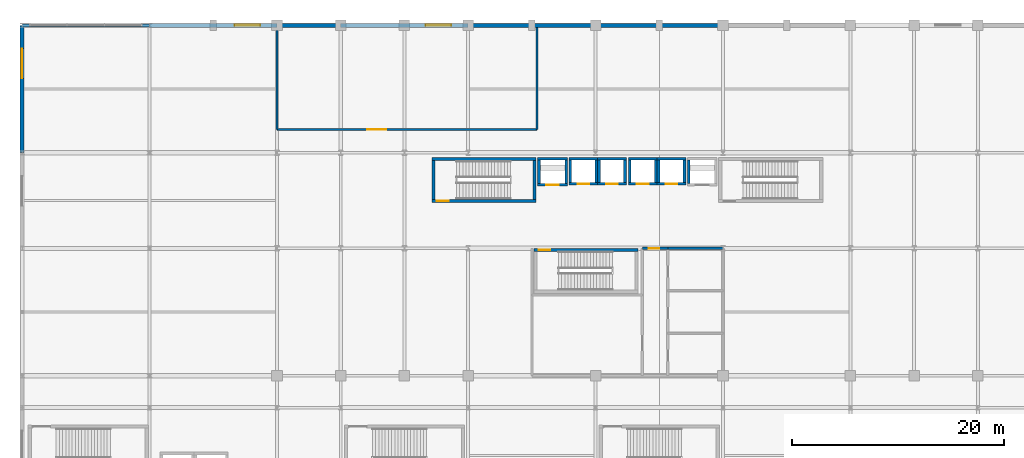
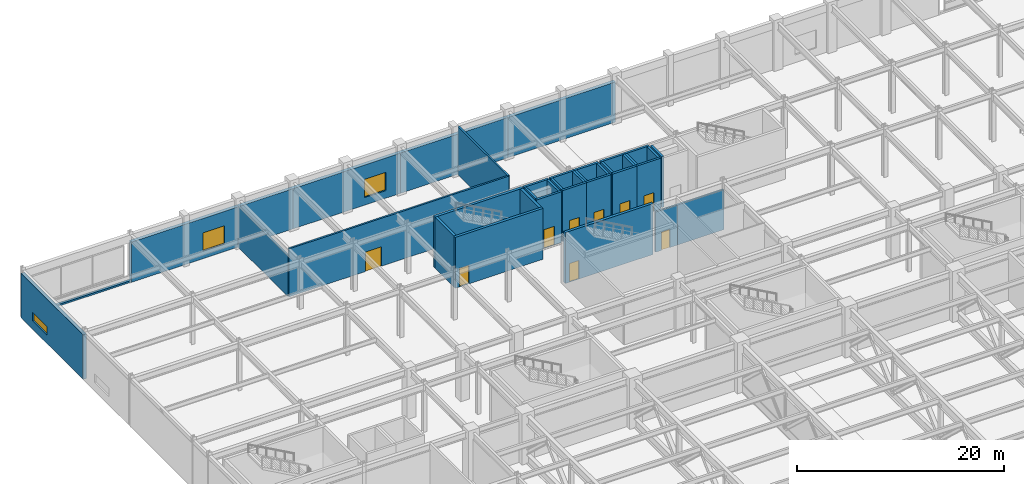
# One storey, part 93 of 108: 38 walls, 9 doors, 3 windows, 12 openings.
"""IFC4 building model written with IfcOpenShell, lengths in metres."""

import ifcopenshell
import ifcopenshell.guid

model = None  # the IFC model being written
_history = None  # IfcOwnerHistory: only IFC2X3 demands one
_inside = {}  # id of a spatial element -> (the spatial element, [elements in it])
_under = {}  # id of a project, library or spatial element -> (it, [spatial elements below it])
_declared = {}  # id of a project -> (the project, [libraries it declares])
_typed = {}  # id of a type object -> (the type object, [elements of that type])
_made_of = {}  # id of a material, layer set ... -> (it, [elements and type objects made of it])


def new_model(schema):
    """Start an empty IFC model of exactly this schema.

    Asked for "IFC4X3", IfcOpenShell would pick the latest addendum, in which some entities
    have other attributes; the version numbers below select the first issue.
    IFC2X3 requires an IfcOwnerHistory on every rooted entity: one is made here for all.
    """
    global model, _history
    if schema == "IFC4X3":
        model = ifcopenshell.file(schema_version=(4, 3, 0, 0))
    else:
        model = ifcopenshell.file(schema=schema)
    _inside.clear()
    _under.clear()
    _declared.clear()
    _typed.clear()
    _made_of.clear()
    _history = None
    if model.schema == "IFC2X3":
        org = make("IfcOrganization", Name="unknown")
        user = make(
            "IfcPersonAndOrganization",
            ThePerson=make("IfcPerson", FamilyName="unknown"),
            TheOrganization=org,
        )
        app = make(
            "IfcApplication",
            ApplicationDeveloper=org,
            Version="unknown",
            ApplicationFullName="unknown",
            ApplicationIdentifier="unknown",
        )
        _history = make(
            "IfcOwnerHistory",
            OwningUser=user,
            OwningApplication=app,
            ChangeAction="ADDED",
            CreationDate=0,
        )
    return model


def make(cls, **values):
    """One entity of the class cls with the attributes given. An attribute that is None is left unset."""
    return model.create_entity(
        cls, **{name: value for name, value in values.items() if value is not None}
    )


def rooted(cls, **values):
    """An entity with a GlobalId (a new one), such as an element, a storey or a relation."""
    return make(cls, GlobalId=ifcopenshell.guid.new(), OwnerHistory=_history, **values)


def si_unit(unit_type, name, prefix=None):
    """IfcSIUnit, for example si_unit("LENGTHUNIT", "METRE", prefix="MILLI")."""
    return make("IfcSIUnit", UnitType=unit_type, Prefix=prefix, Name=name)


def assignment(units):
    """IfcUnitAssignment: the units of a project."""
    return None if units is None else make("IfcUnitAssignment", Units=units)


def point(xyz):
    """IfcCartesianPoint."""
    return None if xyz is None else make("IfcCartesianPoint", Coordinates=xyz)


def direction(xyz):
    """IfcDirection."""
    return None if xyz is None else make("IfcDirection", DirectionRatios=xyz)


def frame(location, z_axis=None, x_axis=None):
    """IfcAxis2Placement3D, a coordinate frame: its origin and axes. An axis left out is left unset."""
    return make(
        "IfcAxis2Placement3D",
        Location=point(location),
        Axis=direction(z_axis),
        RefDirection=direction(x_axis),
    )


def frame_2d(location, x_axis=None):
    """IfcAxis2Placement2D, a coordinate frame in the plane: its origin and x axis."""
    return make(
        "IfcAxis2Placement2D", Location=point(location), RefDirection=direction(x_axis)
    )


def origin():
    """The frame at (0, 0, 0) with its axes left unset."""
    return frame((0.0, 0.0, 0.0))


def place(relative_to, where):
    """IfcLocalPlacement: puts the frame where relative to a parent placement (None: the world)."""
    return make(
        "IfcLocalPlacement", PlacementRelTo=relative_to, RelativePlacement=where
    )


def context(
    kind, dimensions, precision=None, world=None, true_north=None, identifier=None
):
    """IfcGeometricRepresentationContext, for example the 3D "Model" context."""
    return make(
        "IfcGeometricRepresentationContext",
        ContextIdentifier=identifier,
        ContextType=kind,
        CoordinateSpaceDimension=dimensions,
        Precision=precision,
        WorldCoordinateSystem=world,
        TrueNorth=true_north,
    )


def subcontext(parent, identifier, kind, view, scale=None):
    """IfcGeometricRepresentationSubContext, for example "Body" below "Model"."""
    return make(
        "IfcGeometricRepresentationSubContext",
        ContextIdentifier=identifier,
        ContextType=kind,
        ParentContext=parent,
        TargetScale=scale,
        TargetView=view,
    )


def project(units=None, contexts=None):
    """IfcProject with its units and contexts."""
    return rooted(
        "IfcProject",
        Name="project",
        RepresentationContexts=contexts,
        UnitsInContext=assignment(units),
    )


def spatial(cls, under=None, at=None, **own):
    """A site, building, storey or space (cls), placed at a placement, below another one or the project."""
    s = rooted(cls, ObjectPlacement=at, **own)
    if under is not None:
        _under.setdefault(under.id(), (under, []))[1].append(s)
    return s


def profile(cls, at=None, kind="AREA", **sizes):
    """A parametric profile (cls). Its sizes go by their IFC names, for example OverallWidth=200.0."""
    return make(cls, ProfileType=kind, Position=at, **sizes)


def rectangle(**sizes):
    """IfcRectangleProfileDef."""
    return profile("IfcRectangleProfileDef", **sizes)


def extrude(swept, where, along, depth):
    """IfcExtrudedAreaSolid: the profile swept, set in the frame where, extruded along a direction by depth."""
    return make(
        "IfcExtrudedAreaSolid",
        SweptArea=swept,
        Position=where,
        ExtrudedDirection=direction(along),
        Depth=depth,
    )


def shape(context_of_items, identifier, shape_type, items):
    """IfcShapeRepresentation: the items that make up one representation, for example the "Body"."""
    return make(
        "IfcShapeRepresentation",
        ContextOfItems=context_of_items,
        RepresentationIdentifier=identifier,
        RepresentationType=shape_type,
        Items=items,
    )


def material(Name=None, Category=None):
    """IfcMaterial."""
    return make("IfcMaterial", Name=Name, Category=Category)


def layer(
    of_material, thickness, ventilated=None, Name=None, Category=None, Priority=None
):
    """IfcMaterialLayer: one layer of a wall or slab, of a material (None: an air gap)."""
    return make(
        "IfcMaterialLayer",
        Material=of_material,
        LayerThickness=thickness,
        IsVentilated=ventilated,
        Name=Name,
        Category=Category,
        Priority=Priority,
    )


def layer_set(layers, Name=None):
    """IfcMaterialLayerSet."""
    return make("IfcMaterialLayerSet", MaterialLayers=layers, LayerSetName=Name)


def made_of(thing, what):
    """Note that an element or type object is made of a material, layer set ...; save() writes the relation."""
    if what is not None:
        _made_of.setdefault(what.id(), (what, []))[1].append(thing)
    return thing


def type_object(cls, material=None, **own):
    """A type object (cls), such as IfcWallType, which elements share."""
    return made_of(rooted(cls, **own), material)


def element(
    cls,
    number,
    at=None,
    inside=None,
    cuts=None,
    type_object=None,
    material=None,
    context=None,
    identifier="Body",
    shape_type=None,
    held_by="IfcProductDefinitionShape",
    body=None,
    shapes=None,
    **own,
):
    """One element of the class cls, such as IfcWall. Its Tag is "e" and its number.

    at: its placement. inside: the storey or other place that contains it. cuts: it is an
    opening in that element (IfcRelVoidsElement). A single representation is given by context,
    identifier, shape_type and body (its items); several are given by shapes. held_by: the class
    of the entity that holds the representations. save() writes the other relations.
    """
    e = rooted(cls, Tag="e%d" % number, ObjectPlacement=at, **own)
    if body is not None:
        shapes = [shape(context, identifier, shape_type, body)]
    if shapes is not None:
        e.Representation = make(held_by, Representations=shapes)
    if inside is not None:
        _inside.setdefault(inside.id(), (inside, []))[1].append(e)
    if cuts is not None:
        rooted(
            "IfcRelVoidsElement", RelatingBuildingElement=cuts, RelatedOpeningElement=e
        )
    if type_object is not None:
        _typed.setdefault(type_object.id(), (type_object, []))[1].append(e)
    return made_of(e, material)


def fill(opening, filler):
    """IfcRelFillsElement: the door or window that sits in an opening."""
    return rooted(
        "IfcRelFillsElement",
        RelatingOpeningElement=opening,
        RelatedBuildingElement=filler,
    )


def aggregate(whole, parts):
    """IfcRelAggregates: a whole, such as a stair, and the parts it consists of."""
    return rooted("IfcRelAggregates", RelatingObject=whole, RelatedObjects=parts)


def save(model, path):
    """Write the relations noted so far, then the file.

    IfcRelAggregates (storeys below a building ...), IfcRelContainedInSpatialStructure (elements
    in a storey), IfcRelDefinesByType, IfcRelAssociatesMaterial and IfcRelDeclares: one each for
    every whole, place, type object, material and project.
    """
    for whole, parts in _under.values():
        aggregate(whole, parts)
    for where, things in _inside.values():
        rooted(
            "IfcRelContainedInSpatialStructure",
            RelatedElements=things,
            RelatingStructure=where,
        )
    for kind, things in _typed.values():
        rooted("IfcRelDefinesByType", RelatedObjects=things, RelatingType=kind)
    for what, things in _made_of.values():
        rooted("IfcRelAssociatesMaterial", RelatedObjects=things, RelatingMaterial=what)
    for by, libraries in _declared.values():
        rooted("IfcRelDeclares", RelatingContext=by, RelatedDefinitions=libraries)
    model.write(path)


model = new_model("IFC4")

# Units and contexts
model_context = context("Model", 3, precision=1e-05, world=origin(), true_north=direction((0.0, 1.0)))
body_context = subcontext(model_context, "Body", "Model", "MODEL_VIEW")
ifc_project = project(units=[si_unit("LENGTHUNIT", "METRE"), si_unit("AREAUNIT", "SQUARE_METRE"), si_unit("VOLUMEUNIT", "CUBIC_METRE"), si_unit("PLANEANGLEUNIT", "RADIAN"), si_unit("MASSUNIT", "GRAM", prefix="KILO")], contexts=[model_context])

# Site, building, storey
site_placement = place(None, origin())
site = spatial("IfcSite", under=ifc_project, at=site_placement, CompositionType="ELEMENT")
building_placement = place(site_placement, origin())
building = spatial("IfcBuilding", under=site, at=building_placement, Name="Kaldorvane Square Convention Centre", CompositionType="ELEMENT")
storey_placement = place(building_placement, frame((0.0, 0.0, 12.0)))
storey = spatial("IfcBuildingStorey", under=building, at=storey_placement, Name="L02", CompositionType="ELEMENT", Elevation=12.0)

# Wall, opening, door
ifc_material_1 = material(Name="Fire-Rated Gypsum Board on Acoustic Steel Studs", Category="steel")
ifc_layer_1 = layer(ifc_material_1, 0.1999969482421875)
ifc_layer_set_1 = layer_set([ifc_layer_1], Name="Fire-Rated Gypsum Board on Acoustic Steel Studs")
wall_type_1 = type_object("IfcWallType", Name="WL-CORR-200", PredefinedType="PARTITIONING", material=ifc_layer_set_1)
wall_1_placement = place(storey_placement, frame((58.399993896484375, 96.0, 0.0), z_axis=(0.0, 0.0, 1.0), x_axis=(1.0, 0.0, 0.0)))
wall_1 = element("IfcWall", 1, at=wall_1_placement, inside=storey, type_object=wall_type_1, Name="Restroom Vestibule Entry Header (L02)", PredefinedType="PARTITIONING", context=body_context, shape_type="SweptSolid", body=[
    extrude(rectangle(XDim=2.4000091552734375, YDim=0.1999969482421875, at=frame_2d((1.20001220703125, 0.0))), origin(), (0.0, 0.0, 1.0), 4.718994140625),
])
opening_1_placement = place(wall_1_placement, frame((0.625, 0.0, 0.0)))
opening_1 = element("IfcOpeningElement", 2, at=opening_1_placement, cuts=wall_1, Name="Opening ID-13", PredefinedType="OPENING", context=body_context, shape_type="SweptSolid", body=[
    extrude(rectangle(XDim=0.9499969482421875, YDim=2.149993896484375, at=frame_2d((0.475006103515625, 1.0749969482421875))), frame((0.0, 0.114990234375, 0.0), z_axis=(0.0, -1.0, 0.0), x_axis=(1.0, 0.0, 0.0)), (0.0, 0.0, 1.0), 0.2299957275390625),
])
ifc_material_2 = material(Name="Architectural Solid-Core White Oak")
door_type_1 = type_object("IfcDoorType", Name="DR-WC-0950X2150", OperationType="SINGLE_SWING_LEFT", PredefinedType="DOOR", material=ifc_material_2)
door_1_placement = place(opening_1_placement, origin())
door_1 = element("IfcDoor", 3, at=door_1_placement, inside=storey, type_object=door_type_1, Name="Restroom Vestibule Door (L02)", OperationType="SINGLE_SWING_LEFT", OverallHeight=2.149993896484375, OverallWidth=0.9499969482421875, PredefinedType="DOOR", context=body_context, shape_type="SweptSolid", body=[
    extrude(rectangle(XDim=0.9499969482421875, YDim=2.149993896484375, at=frame_2d((0.475006103515625, 1.0749969482421875))), frame((0.0, 0.024993896484375, 0.0), z_axis=(0.0, -1.0, 0.0), x_axis=(1.0, 0.0, 0.0)), (0.0, 0.0, 1.0), 0.0500030517578125),
])
fill(opening_1, door_1)

# Wall
wall_2_placement = place(storey_placement, frame((60.80000305175781, 96.0, 0.0), z_axis=(0.0, 0.0, 1.0), x_axis=(1.0, 0.0, 0.0)))
element("IfcWall", 4, at=wall_2_placement, inside=storey, type_object=wall_type_1, Name="Restroom North Wall (L02)", PredefinedType="PARTITIONING", context=body_context, shape_type="SweptSolid", body=[
    extrude(rectangle(XDim=5.1999969482421875, YDim=0.1999969482421875, at=frame_2d((2.600006103515625, 0.0))), origin(), (0.0, 0.0, 1.0), 4.718994140625),
])

# Wall, opening, door
wall_3_placement = place(storey_placement, frame((24.0, 107.19999694824219, 0.0), z_axis=(0.0, 0.0, 1.0), x_axis=(1.0, 0.0, 0.0)))
wall_3 = element("IfcWall", 5, at=wall_3_placement, inside=storey, type_object=wall_type_1, Name="Hotel Fitness Studio and Spa S Wall", PredefinedType="PARTITIONING", context=body_context, shape_type="SweptSolid", body=[
    extrude(rectangle(XDim=24.5, YDim=0.1999969482421875, at=frame_2d((12.25, 0.0))), origin(), (0.0, 0.0, 1.0), 5.649993896484375),
])
opening_2_placement = place(wall_3_placement, frame((8.5, 0.0, 0.0)))
opening_2 = element("IfcOpeningElement", 6, at=opening_2_placement, cuts=wall_3, Name="Opening ID-15", PredefinedType="OPENING", context=body_context, shape_type="SweptSolid", body=[
    extrude(rectangle(XDim=1.8000030517578125, YDim=2.3000030517578125, at=frame_2d((0.899993896484375, 1.149993896484375))), frame((0.0, 0.114990234375, 0.0), z_axis=(0.0, -1.0, 0.0), x_axis=(1.0, 0.0, 0.0)), (0.0, 0.0, 1.0), 0.2299957275390625),
])
ifc_material_3 = material(Name="Acoustic Laminated Glass in Aluminum Frame", Category="aluminium")
door_type_2 = type_object("IfcDoorType", Name="DR-GL-1800X2300", OperationType="DOUBLE_DOOR_SINGLE_SWING", PredefinedType="DOOR", material=ifc_material_3)
door_2_placement = place(opening_2_placement, origin())
door_2 = element("IfcDoor", 7, at=door_2_placement, inside=storey, type_object=door_type_2, Name="Hotel Fitness Studio and Spa Door 1", OperationType="DOUBLE_DOOR_SINGLE_SWING", OverallHeight=2.3000030517578125, OverallWidth=1.8000030517578125, PredefinedType="DOOR", context=body_context, shape_type="SweptSolid", body=[
    extrude(rectangle(XDim=1.8000030517578125, YDim=2.3000030517578125, at=frame_2d((0.899993896484375, 1.149993896484375))), frame((0.0, 0.024993896484375, 0.0), z_axis=(0.0, -1.0, 0.0), x_axis=(1.0, 0.0, 0.0)), (0.0, 0.0, 1.0), 0.0500030517578125),
])
fill(opening_2, door_2)

# Walls
wall_4_placement = place(storey_placement, frame((48.5, 107.19999694824219, 0.0), z_axis=(0.0, 0.0, 1.0), x_axis=(0.0, 1.0, 0.0)))
element("IfcWall", 8, at=wall_4_placement, inside=storey, type_object=wall_type_1, Name="Hotel Fitness Studio and Spa E Wall", PredefinedType="PARTITIONING", context=body_context, shape_type="SweptSolid", body=[
    extrude(rectangle(XDim=9.610000610351562, YDim=0.1999969482421875, at=frame_2d((4.80499267578125, 0.0))), origin(), (0.0, 0.0, 1.0), 5.649993896484375),
])
wall_5_placement = place(storey_placement, frame((24.0, 116.80999755859375, 0.0), z_axis=(0.0, 0.0, 1.0), x_axis=(0.0, -1.0, 0.0)))
element("IfcWall", 9, at=wall_5_placement, inside=storey, type_object=wall_type_1, Name="Hotel Fitness Studio and Spa W Wall", PredefinedType="PARTITIONING", context=body_context, shape_type="SweptSolid", body=[
    extrude(rectangle(XDim=9.610000610351562, YDim=0.1999969482421875, at=frame_2d((4.80499267578125, 0.0))), origin(), (0.0, 0.0, 1.0), 4.8000030517578125),
])

# Wall, opening, window
ifc_material_4 = material(Name="Concrete f'c = 42 MPa (Normalweight)", Category="concrete")
ifc_layer_2 = layer(ifc_material_4, 0.3800048828125)
ifc_layer_set_2 = layer_set([ifc_layer_2], Name="Concrete f'c = 42 MPa (Normalweight)")
wall_type_2 = type_object("IfcWallType", Name="WL-EXT-380", PredefinedType="STANDARD", material=ifc_layer_set_2)
wall_6_placement = place(storey_placement, frame((24.0, 117.0, 0.0), z_axis=(0.0, 0.0, 1.0), x_axis=(-1.0, 0.0, 0.0)))
wall_6 = element("IfcWall", 10, at=wall_6_placement, inside=storey, type_object=wall_type_2, Name="North Square Brutalist Facade Wall (L02)", PredefinedType="STANDARD", context=body_context, shape_type="SweptSolid", body=[
    extrude(rectangle(XDim=12.0, YDim=0.3800048828125, at=frame_2d((6.0, 0.0))), origin(), (0.0, 0.0, 1.0), 4.746002197265625),
])
opening_3_placement = place(wall_6_placement, frame((1.600006103515625, 0.0, 0.899993896484375)))
opening_3 = element("IfcOpeningElement", 11, at=opening_3_placement, cuts=wall_6, Name="Opening W-19", PredefinedType="OPENING", context=body_context, shape_type="SweptSolid", body=[
    extrude(rectangle(XDim=2.399993896484375, YDim=2.149993896484375, at=frame_2d((1.1999969482421875, 1.0749969482421875))), frame((0.0, 0.2050018310546875, 0.0), z_axis=(0.0, -1.0, 0.0), x_axis=(1.0, 0.0, 0.0)), (0.0, 0.0, 1.0), 0.410003662109375),
])
ifc_material_5 = material(Name="Anodized Aluminum and Low-E Insulated Glazing", Category="aluminium")
window_type_1 = type_object("IfcWindowType", Name="WN-POD-2400X2150", PartitioningType="DOUBLE_PANEL_VERTICAL", PredefinedType="WINDOW", material=ifc_material_5)
window_1_placement = place(opening_3_placement, origin())
window_1 = element("IfcWindow", 12, at=window_1_placement, inside=storey, type_object=window_type_1, Name="North Facade Window (L02)", OverallHeight=2.149993896484375, OverallWidth=2.399993896484375, PartitioningType="DOUBLE_PANEL_VERTICAL", PredefinedType="WINDOW", context=body_context, shape_type="SweptSolid", body=[
    extrude(rectangle(XDim=2.399993896484375, YDim=2.149993896484375, at=frame_2d((1.1999969482421875, 1.0749969482421875))), frame((0.0, 0.029998779296875, 0.0), z_axis=(0.0, -1.0, 0.0), x_axis=(1.0, 0.0, 0.0)), (0.0, 0.0, 1.0), 0.05999755859375),
])
fill(opening_3, window_1)

# Wall
wall_7_placement = place(storey_placement, frame((30.0, 117.0, 0.0), z_axis=(0.0, 0.0, 1.0), x_axis=(-1.0, 0.0, 0.0)))
element("IfcWall", 13, at=wall_7_placement, inside=storey, type_object=wall_type_2, Name="North Square Brutalist Facade Wall (L02)", PredefinedType="STANDARD", context=body_context, shape_type="SweptSolid", body=[
    extrude(rectangle(XDim=6.0, YDim=0.3800048828125, at=frame_2d((3.0, 0.0))), origin(), (0.0, 0.0, 1.0), 4.746002197265625),
])

# Wall, opening, window
wall_8_placement = place(storey_placement, frame((42.0, 117.0, 0.0), z_axis=(0.0, 0.0, 1.0), x_axis=(-1.0, 0.0, 0.0)))
wall_8 = element("IfcWall", 14, at=wall_8_placement, inside=storey, type_object=wall_type_2, Name="North Square Brutalist Facade Wall (L02)", PredefinedType="STANDARD", context=body_context, shape_type="SweptSolid", body=[
    extrude(rectangle(XDim=12.0, YDim=0.3800048828125, at=frame_2d((6.0, 0.0))), origin(), (0.0, 0.0, 1.0), 4.746002197265625),
])
opening_4_placement = place(wall_8_placement, frame((1.600006103515625, 0.0, 0.899993896484375)))
opening_4 = element("IfcOpeningElement", 15, at=opening_4_placement, cuts=wall_8, Name="Opening W-19", PredefinedType="OPENING", context=body_context, shape_type="SweptSolid", body=[
    extrude(rectangle(XDim=2.399993896484375, YDim=2.149993896484375, at=frame_2d((1.1999969482421875, 1.0749969482421875))), frame((0.0, 0.2050018310546875, 0.0), z_axis=(0.0, -1.0, 0.0), x_axis=(1.0, 0.0, 0.0)), (0.0, 0.0, 1.0), 0.410003662109375),
])
window_2_placement = place(opening_4_placement, origin())
window_2 = element("IfcWindow", 16, at=window_2_placement, inside=storey, type_object=window_type_1, Name="North Facade Window (L02)", OverallHeight=2.149993896484375, OverallWidth=2.399993896484375, PartitioningType="DOUBLE_PANEL_VERTICAL", PredefinedType="WINDOW", context=body_context, shape_type="SweptSolid", body=[
    extrude(rectangle(XDim=2.399993896484375, YDim=2.149993896484375, at=frame_2d((1.1999969482421875, 1.0749969482421875))), frame((0.0, 0.029998779296875, 0.0), z_axis=(0.0, -1.0, 0.0), x_axis=(1.0, 0.0, 0.0)), (0.0, 0.0, 1.0), 0.05999755859375),
])
fill(opening_4, window_2)

# Walls
for number, where, z_axis, x_axis, name in (
    (17, (54.0, 117.0, 0.0), (0.0, 0.0, 1.0), (-1.0, 0.0, 0.0), "North Square Brutalist Facade Wall (L02)"),
    (18, (66.0, 117.0, 0.0), (0.0, 0.0, 1.0), (-1.0, 0.0, 0.0), "North Square Brutalist Facade Wall (L02)"),
):
    element("IfcWall", number, at=place(storey_placement, frame(where, z_axis=z_axis, x_axis=x_axis)), inside=storey, type_object=wall_type_2, Name=name, PredefinedType="STANDARD", context=body_context, shape_type="SweptSolid", body=[
        extrude(rectangle(XDim=12.0, YDim=0.3800048828125, at=frame_2d((6.0, 0.0))), origin(), (0.0, 0.0, 1.0), 4.746002197265625),
    ])

# Wall, opening, window
wall_9_placement = place(storey_placement, frame((0.0, 117.0, 0.0), z_axis=(0.0, 0.0, 1.0), x_axis=(0.0, -1.0, 0.0)))
wall_9 = element("IfcWall", 19, at=wall_9_placement, inside=storey, type_object=wall_type_2, Name="West Brutalist Facade Wall (L02)", PredefinedType="STANDARD", context=body_context, shape_type="SweptSolid", body=[
    extrude(rectangle(XDim=12.0, YDim=0.3800048828125, at=frame_2d((6.0, 0.0))), origin(), (0.0, 0.0, 1.0), 5.2389984130859375),
])
opening_5_placement = place(wall_9_placement, frame((2.1999969482421875, 0.0, 1.0)))
opening_5 = element("IfcOpeningElement", 20, at=opening_5_placement, cuts=wall_9, Name="Opening W-26", PredefinedType="OPENING", context=body_context, shape_type="SweptSolid", body=[
    extrude(rectangle(XDim=2.8000030517578125, YDim=1.0, at=frame_2d((1.399993896484375, 0.5))), frame((0.0, 0.2050018310546875, 0.0), z_axis=(0.0, -1.0, 0.0), x_axis=(1.0, 0.0, 0.0)), (0.0, 0.0, 1.0), 0.410003662109375),
])
window_type_2 = type_object("IfcWindowType", Name="WN-CLR-2800X1000", PartitioningType="DOUBLE_PANEL_HORIZONTAL", PredefinedType="WINDOW", material=ifc_material_5)
window_3_placement = place(opening_5_placement, origin())
window_3 = element("IfcWindow", 21, at=window_3_placement, inside=storey, type_object=window_type_2, Name="West Facade Window (L02)", OverallHeight=1.0, OverallWidth=2.8000030517578125, PartitioningType="DOUBLE_PANEL_HORIZONTAL", PredefinedType="WINDOW", context=body_context, shape_type="SweptSolid", body=[
    extrude(rectangle(XDim=2.8000030517578125, YDim=1.0, at=frame_2d((1.399993896484375, 0.5))), frame((0.0, 0.029998779296875, 0.0), z_axis=(0.0, -1.0, 0.0), x_axis=(1.0, 0.0, 0.0)), (0.0, 0.0, 1.0), 0.05999755859375),
])
fill(opening_5, window_3)

# Wall
ifc_material_6 = material(Name="Concrete f'c = 35 MPa (Normalweight)", Category="concrete")
ifc_layer_3 = layer(ifc_material_6, 0.279998779296875)
ifc_layer_set_3 = layer_set([ifc_layer_3], Name="Concrete f'c = 35 MPa (Normalweight)")
wall_type_3 = type_object("IfcWallType", Name="WL-PAR-280", PredefinedType="PARAPET", material=ifc_layer_set_3)
wall_10_placement = place(storey_placement, frame((12.0, 117.0, 0.0), z_axis=(0.0, 0.0, 1.0), x_axis=(-1.0, 0.0, 0.0)))
element("IfcWall", 22, at=wall_10_placement, inside=storey, type_object=wall_type_3, Name="North Curtain-Wall Sill Kerb (L02)", PredefinedType="PARAPET", context=body_context, shape_type="SweptSolid", body=[
    extrude(rectangle(XDim=12.0, YDim=0.279998779296875, at=frame_2d((6.0, 0.0))), origin(), (0.0, 0.0, 1.0), 0.1999969482421875),
])

# Wall, opening, door
ifc_material_7 = material(Name="Concrete f'c = 55 MPa (Normalweight)", Category="concrete")
ifc_layer_4 = layer(ifc_material_7, 0.3000030517578125)
ifc_layer_set_4 = layer_set([ifc_layer_4], Name="Concrete f'c = 55 MPa (Normalweight)")
wall_type_4 = type_object("IfcWallType", Name="WL-SHAFT-300", PredefinedType="SHEAR", material=ifc_layer_set_4)
wall_11_placement = place(storey_placement, frame((38.600006103515625, 100.46000671386719, 0.0), z_axis=(0.0, 0.0, 1.0), x_axis=(1.0, 0.0, 0.0)))
wall_11 = element("IfcWall", 23, at=wall_11_placement, inside=storey, type_object=wall_type_4, Name="Core Enclosure Wall stair:ST-T1-S (L02)", PredefinedType="SHEAR", context=body_context, shape_type="SweptSolid", body=[
    extrude(rectangle(XDim=9.79998779296875, YDim=0.3000030517578125, at=frame_2d((4.899993896484375, 0.0))), origin(), (0.0, 0.0, 1.0), 6.0),
])
opening_6_placement = place(wall_11_placement, frame((0.4499969482421875, 0.0, 0.0)))
opening_6 = element("IfcOpeningElement", 24, at=opening_6_placement, cuts=wall_11, Name="Opening FD90-S1", PredefinedType="OPENING", context=body_context, shape_type="SweptSolid", body=[
    extrude(rectangle(XDim=1.100006103515625, YDim=2.1999969482421875, at=frame_2d((0.5500030517578125, 1.100006103515625))), frame((0.0, 0.165008544921875, 0.0), z_axis=(0.0, -1.0, 0.0), x_axis=(1.0, 0.0, 0.0)), (0.0, 0.0, 1.0), 0.3300018310546875),
])
ifc_material_8 = material(Name="Fire-Rated Hollow Metal Steel", Category="steel")
door_type_3 = type_object("IfcDoorType", Name="DR-STAIR-1100", OperationType="SINGLE_SWING_RIGHT", PredefinedType="DOOR", material=ifc_material_8)
door_3_placement = place(opening_6_placement, origin())
door_3 = element("IfcDoor", 25, at=door_3_placement, inside=storey, type_object=door_type_3, Name="Tower Exit Stair T1 Fire Door (L02)", OperationType="SINGLE_SWING_RIGHT", OverallHeight=2.1999969482421875, OverallWidth=1.100006103515625, PredefinedType="DOOR", context=body_context, shape_type="SweptSolid", body=[
    extrude(rectangle(XDim=1.100006103515625, YDim=2.1999969482421875, at=frame_2d((0.5500030517578125, 1.100006103515625))), frame((0.0, 0.024993896484375, 0.0), z_axis=(0.0, -1.0, 0.0), x_axis=(1.0, 0.0, 0.0)), (0.0, 0.0, 1.0), 0.0500030517578125),
])
fill(opening_6, door_3)

# Walls
wall_12_placement = place(storey_placement, frame((48.399993896484375, 104.39999389648438, 0.0), z_axis=(0.0, 0.0, 1.0), x_axis=(-1.0, 0.0, 0.0)))
element("IfcWall", 26, at=wall_12_placement, inside=storey, type_object=wall_type_4, Name="Core Enclosure Wall stair:ST-T1-N (L02)", PredefinedType="SHEAR", context=body_context, shape_type="SweptSolid", body=[
    extrude(rectangle(XDim=9.79998779296875, YDim=0.3000030517578125, at=frame_2d((4.899993896484375, 0.0))), origin(), (0.0, 0.0, 1.0), 6.0),
])
for number, where, z_axis, x_axis, name in (
    (27, (38.75, 104.25, 0.0), (0.0, 0.0, 1.0), (0.0, -1.0, 0.0), "Core Enclosure Wall stair:ST-T1-W (L02)"),
    (28, (48.25, 100.61000061035156, 0.0), (0.0, 0.0, 1.0), (0.0, 1.0, 0.0), "Core Enclosure Wall stair:ST-T1-E (L02)"),
):
    element("IfcWall", number, at=place(storey_placement, frame(where, z_axis=z_axis, x_axis=x_axis)), inside=storey, type_object=wall_type_4, Name=name, PredefinedType="SHEAR", context=body_context, shape_type="SweptSolid", body=[
        extrude(rectangle(XDim=3.6399993896484375, YDim=0.3000030517578125, at=frame_2d((1.82000732421875, 0.0))), origin(), (0.0, 0.0, 1.0), 6.0),
    ])

# Wall, opening, door
wall_13_placement = place(storey_placement, frame((58.0, 95.85000610351562, 0.0), z_axis=(0.0, 0.0, 1.0), x_axis=(-1.0, 0.0, 0.0)))
wall_13 = element("IfcWall", 29, at=wall_13_placement, inside=storey, type_object=wall_type_4, Name="Core Enclosure Wall stair:ST-T3-N (L02)", PredefinedType="SHEAR", context=body_context, shape_type="SweptSolid", body=[
    extrude(rectangle(XDim=9.800003051757812, YDim=0.3000030517578125, at=frame_2d((4.899993896484375, 0.0))), origin(), (0.0, 0.0, 1.0), 6.0),
])
opening_7_placement = place(wall_13_placement, frame((8.25, 0.0, 0.0)))
opening_7 = element("IfcOpeningElement", 30, at=opening_7_placement, cuts=wall_13, Name="Opening FD90-S1", PredefinedType="OPENING", context=body_context, shape_type="SweptSolid", body=[
    extrude(rectangle(XDim=1.100006103515625, YDim=2.1999969482421875, at=frame_2d((0.5500030517578125, 1.100006103515625))), frame((0.0, 0.165008544921875, 0.0), z_axis=(0.0, -1.0, 0.0), x_axis=(1.0, 0.0, 0.0)), (0.0, 0.0, 1.0), 0.3300018310546875),
])
door_4_placement = place(opening_7_placement, origin())
door_4 = element("IfcDoor", 31, at=door_4_placement, inside=storey, type_object=door_type_3, Name="Tower Exit Stair T3 Fire Door (L02)", OperationType="SINGLE_SWING_RIGHT", OverallHeight=2.1999969482421875, OverallWidth=1.100006103515625, PredefinedType="DOOR", context=body_context, shape_type="SweptSolid", body=[
    extrude(rectangle(XDim=1.100006103515625, YDim=2.1999969482421875, at=frame_2d((0.5500030517578125, 1.100006103515625))), frame((0.0, 0.024993896484375, 0.0), z_axis=(0.0, -1.0, 0.0), x_axis=(1.0, 0.0, 0.0)), (0.0, 0.0, 1.0), 0.0500030517578125),
])
fill(opening_7, door_4)

wall_14_placement = place(storey_placement, frame((48.55000305175781, 101.97500610351562, 0.0), z_axis=(0.0, 0.0, 1.0), x_axis=(1.0, 0.0, 0.0)))
wall_14 = element("IfcWall", 32, at=wall_14_placement, inside=storey, type_object=wall_type_4, Name="Core Enclosure Wall lift:FSAE-01-S (L02)", PredefinedType="SHEAR", context=body_context, shape_type="SweptSolid", body=[
    extrude(rectangle(XDim=2.8000030517578125, YDim=0.25, at=frame_2d((1.399993896484375, 0.0))), origin(), (0.0, 0.0, 1.0), 6.0),
])
opening_8_placement = place(wall_14_placement, frame((0.8000030517578125, 0.0, 0.0)))
opening_8 = element("IfcOpeningElement", 33, at=opening_8_placement, cuts=wall_14, Name="Opening LD-02", PredefinedType="OPENING", context=body_context, shape_type="SweptSolid", body=[
    extrude(rectangle(XDim=1.1999969482421875, YDim=2.1999969482421875, at=frame_2d((0.600006103515625, 1.100006103515625))), frame((0.0, 0.1399993896484375, 0.0), z_axis=(0.0, -1.0, 0.0), x_axis=(1.0, 0.0, 0.0)), (0.0, 0.0, 1.0), 0.279998779296875),
])
ifc_material_9 = material(Name="Stainless Steel Elevator Door Assembly", Category="steel")
door_type_4 = type_object("IfcDoorType", Name="DR-LIFT-1200", OperationType="DOUBLE_DOOR_SLIDING", PredefinedType="DOOR", material=ifc_material_9)
door_5_placement = place(opening_8_placement, origin())
door_5 = element("IfcDoor", 34, at=door_5_placement, inside=storey, type_object=door_type_4, Name="Elevator Landing Door FSAE-01 (L02)", OperationType="DOUBLE_DOOR_SLIDING", OverallHeight=2.1999969482421875, OverallWidth=1.1999969482421875, PredefinedType="DOOR", context=body_context, shape_type="SweptSolid", body=[
    extrude(rectangle(XDim=1.1999969482421875, YDim=2.1999969482421875, at=frame_2d((0.600006103515625, 1.100006103515625))), frame((0.0, 0.024993896484375, 0.0), z_axis=(0.0, -1.0, 0.0), x_axis=(1.0, 0.0, 0.0)), (0.0, 0.0, 1.0), 0.0500030517578125),
])
fill(opening_8, door_5)

# Walls
wall_15_placement = place(storey_placement, frame((51.350006103515625, 104.42500305175781, 0.0), z_axis=(0.0, 0.0, 1.0), x_axis=(-1.0, 0.0, 0.0)))
element("IfcWall", 35, at=wall_15_placement, inside=storey, type_object=wall_type_4, Name="Core Enclosure Wall lift:FSAE-01-N (L02)", PredefinedType="SHEAR", context=body_context, shape_type="SweptSolid", body=[
    extrude(rectangle(XDim=2.8000030517578125, YDim=0.25, at=frame_2d((1.399993896484375, 0.0))), origin(), (0.0, 0.0, 1.0), 6.0),
])
for number, where, z_axis, x_axis, name in (
    (36, (48.67500305175781, 104.30000305175781, 0.0), (0.0, 0.0, 1.0), (0.0, -1.0, 0.0), "Core Enclosure Wall lift:FSAE-01-W (L02)"),
    (37, (51.225006103515625, 102.10000610351562, 0.0), (0.0, 0.0, 1.0), (0.0, 1.0, 0.0), "Core Enclosure Wall lift:FSAE-01-E (L02)"),
    (38, (62.774993896484375, 104.30000305175781, 0.0), (0.0, 0.0, 1.0), (0.0, -1.0, 0.0), "Core Enclosure Wall lift:FSAE-02-W (L02)"),
):
    element("IfcWall", number, at=place(storey_placement, frame(where, z_axis=z_axis, x_axis=x_axis)), inside=storey, type_object=wall_type_4, Name=name, PredefinedType="SHEAR", context=body_context, shape_type="SweptSolid", body=[
        extrude(rectangle(XDim=2.1999969482421875, YDim=0.25, at=frame_2d((1.100006103515625, 0.0))), origin(), (0.0, 0.0, 1.0), 6.0),
    ])

# Wall, opening, door
wall_16_placement = place(storey_placement, frame((51.5, 102.07499694824219, 0.0), z_axis=(0.0, 0.0, 1.0), x_axis=(1.0, 0.0, 0.0)))
wall_16 = element("IfcWall", 39, at=wall_16_placement, inside=storey, type_object=wall_type_4, Name="Core Enclosure Wall lift:EL-P1-S (L02)", PredefinedType="SHEAR", context=body_context, shape_type="SweptSolid", body=[
    extrude(rectangle(XDim=2.6999969482421875, YDim=0.25, at=frame_2d((1.350006103515625, 0.0))), origin(), (0.0, 0.0, 1.0), 6.0),
])
opening_9_placement = place(wall_16_placement, frame((0.8000030517578125, 0.0, 0.0)))
opening_9 = element("IfcOpeningElement", 40, at=opening_9_placement, cuts=wall_16, Name="Opening LD-01", PredefinedType="OPENING", context=body_context, shape_type="SweptSolid", body=[
    extrude(rectangle(XDim=1.100006103515625, YDim=2.1999969482421875, at=frame_2d((0.5500030517578125, 1.100006103515625))), frame((0.0, 0.1399993896484375, 0.0), z_axis=(0.0, -1.0, 0.0), x_axis=(1.0, 0.0, 0.0)), (0.0, 0.0, 1.0), 0.279998779296875),
])
door_type_5 = type_object("IfcDoorType", Name="DR-LIFT-1100", OperationType="DOUBLE_DOOR_SLIDING", PredefinedType="DOOR", material=ifc_material_9)
door_6_placement = place(opening_9_placement, origin())
door_6 = element("IfcDoor", 41, at=door_6_placement, inside=storey, type_object=door_type_5, Name="Elevator Landing Door EL-P1 (L02)", OperationType="DOUBLE_DOOR_SLIDING", OverallHeight=2.1999969482421875, OverallWidth=1.100006103515625, PredefinedType="DOOR", context=body_context, shape_type="SweptSolid", body=[
    extrude(rectangle(XDim=1.100006103515625, YDim=2.1999969482421875, at=frame_2d((0.5500030517578125, 1.100006103515625))), frame((0.0, 0.024993896484375, 0.0), z_axis=(0.0, -1.0, 0.0), x_axis=(1.0, 0.0, 0.0)), (0.0, 0.0, 1.0), 0.0500030517578125),
])
fill(opening_9, door_6)

# Walls
wall_17_placement = place(storey_placement, frame((54.19999694824219, 104.42500305175781, 0.0), z_axis=(0.0, 0.0, 1.0), x_axis=(-1.0, 0.0, 0.0)))
element("IfcWall", 42, at=wall_17_placement, inside=storey, type_object=wall_type_4, Name="Core Enclosure Wall lift:EL-P1-N (L02)", PredefinedType="SHEAR", context=body_context, shape_type="SweptSolid", body=[
    extrude(rectangle(XDim=2.6999969482421875, YDim=0.25, at=frame_2d((1.350006103515625, 0.0))), origin(), (0.0, 0.0, 1.0), 6.0),
])
for number, where, z_axis, x_axis, name in (
    (43, (51.625, 104.30000305175781, 0.0), (0.0, 0.0, 1.0), (0.0, -1.0, 0.0), "Core Enclosure Wall lift:EL-P1-W (L02)"),
    (44, (54.07499694824219, 102.19999694824219, 0.0), (0.0, 0.0, 1.0), (0.0, 1.0, 0.0), "Core Enclosure Wall lift:EL-P1-E (L02)"),
):
    element("IfcWall", number, at=place(storey_placement, frame(where, z_axis=z_axis, x_axis=x_axis)), inside=storey, type_object=wall_type_4, Name=name, PredefinedType="SHEAR", context=body_context, shape_type="SweptSolid", body=[
        extrude(rectangle(XDim=2.100006103515625, YDim=0.25, at=frame_2d((1.0500030517578125, 0.0))), origin(), (0.0, 0.0, 1.0), 6.0),
    ])

# Wall, opening, door
wall_18_placement = place(storey_placement, frame((54.19999694824219, 102.07499694824219, 0.0), z_axis=(0.0, 0.0, 1.0), x_axis=(1.0, 0.0, 0.0)))
wall_18 = element("IfcWall", 45, at=wall_18_placement, inside=storey, type_object=wall_type_4, Name="Core Enclosure Wall lift:EL-P2-S (L02)", PredefinedType="SHEAR", context=body_context, shape_type="SweptSolid", body=[
    extrude(rectangle(XDim=2.6999969482421875, YDim=0.25, at=frame_2d((1.350006103515625, 0.0))), origin(), (0.0, 0.0, 1.0), 6.0),
])
opening_10_placement = place(wall_18_placement, frame((0.8000030517578125, 0.0, 0.0)))
opening_10 = element("IfcOpeningElement", 46, at=opening_10_placement, cuts=wall_18, Name="Opening LD-01", PredefinedType="OPENING", context=body_context, shape_type="SweptSolid", body=[
    extrude(rectangle(XDim=1.100006103515625, YDim=2.1999969482421875, at=frame_2d((0.5500030517578125, 1.100006103515625))), frame((0.0, 0.1399993896484375, 0.0), z_axis=(0.0, -1.0, 0.0), x_axis=(1.0, 0.0, 0.0)), (0.0, 0.0, 1.0), 0.279998779296875),
])
door_7_placement = place(opening_10_placement, origin())
door_7 = element("IfcDoor", 47, at=door_7_placement, inside=storey, type_object=door_type_5, Name="Elevator Landing Door EL-P2 (L02)", OperationType="DOUBLE_DOOR_SLIDING", OverallHeight=2.1999969482421875, OverallWidth=1.100006103515625, PredefinedType="DOOR", context=body_context, shape_type="SweptSolid", body=[
    extrude(rectangle(XDim=1.100006103515625, YDim=2.1999969482421875, at=frame_2d((0.5500030517578125, 1.100006103515625))), frame((0.0, 0.024993896484375, 0.0), z_axis=(0.0, -1.0, 0.0), x_axis=(1.0, 0.0, 0.0)), (0.0, 0.0, 1.0), 0.0500030517578125),
])
fill(opening_10, door_7)

# Walls
wall_19_placement = place(storey_placement, frame((56.899993896484375, 104.42500305175781, 0.0), z_axis=(0.0, 0.0, 1.0), x_axis=(-1.0, 0.0, 0.0)))
element("IfcWall", 48, at=wall_19_placement, inside=storey, type_object=wall_type_4, Name="Core Enclosure Wall lift:EL-P2-N (L02)", PredefinedType="SHEAR", context=body_context, shape_type="SweptSolid", body=[
    extrude(rectangle(XDim=2.6999969482421875, YDim=0.25, at=frame_2d((1.350006103515625, 0.0))), origin(), (0.0, 0.0, 1.0), 6.0),
])
for number, where, z_axis, x_axis, name in (
    (49, (54.32499694824219, 104.30000305175781, 0.0), (0.0, 0.0, 1.0), (0.0, -1.0, 0.0), "Core Enclosure Wall lift:EL-P2-W (L02)"),
    (50, (56.774993896484375, 102.19999694824219, 0.0), (0.0, 0.0, 1.0), (0.0, 1.0, 0.0), "Core Enclosure Wall lift:EL-P2-E (L02)"),
):
    element("IfcWall", number, at=place(storey_placement, frame(where, z_axis=z_axis, x_axis=x_axis)), inside=storey, type_object=wall_type_4, Name=name, PredefinedType="SHEAR", context=body_context, shape_type="SweptSolid", body=[
        extrude(rectangle(XDim=2.100006103515625, YDim=0.25, at=frame_2d((1.0500030517578125, 0.0))), origin(), (0.0, 0.0, 1.0), 6.0),
    ])

# Wall, opening, door
wall_20_placement = place(storey_placement, frame((57.100006103515625, 102.07499694824219, 0.0), z_axis=(0.0, 0.0, 1.0), x_axis=(1.0, 0.0, 0.0)))
wall_20 = element("IfcWall", 51, at=wall_20_placement, inside=storey, type_object=wall_type_4, Name="Core Enclosure Wall lift:EL-P3-S (L02)", PredefinedType="SHEAR", context=body_context, shape_type="SweptSolid", body=[
    extrude(rectangle(XDim=2.6999969482421875, YDim=0.25, at=frame_2d((1.350006103515625, 0.0))), origin(), (0.0, 0.0, 1.0), 6.0),
])
opening_11_placement = place(wall_20_placement, frame((0.8000030517578125, 0.0, 0.0)))
opening_11 = element("IfcOpeningElement", 52, at=opening_11_placement, cuts=wall_20, Name="Opening LD-01", PredefinedType="OPENING", context=body_context, shape_type="SweptSolid", body=[
    extrude(rectangle(XDim=1.100006103515625, YDim=2.1999969482421875, at=frame_2d((0.5500030517578125, 1.100006103515625))), frame((0.0, 0.1399993896484375, 0.0), z_axis=(0.0, -1.0, 0.0), x_axis=(1.0, 0.0, 0.0)), (0.0, 0.0, 1.0), 0.279998779296875),
])
door_8_placement = place(opening_11_placement, origin())
door_8 = element("IfcDoor", 53, at=door_8_placement, inside=storey, type_object=door_type_5, Name="Elevator Landing Door EL-P3 (L02)", OperationType="DOUBLE_DOOR_SLIDING", OverallHeight=2.1999969482421875, OverallWidth=1.100006103515625, PredefinedType="DOOR", context=body_context, shape_type="SweptSolid", body=[
    extrude(rectangle(XDim=1.100006103515625, YDim=2.1999969482421875, at=frame_2d((0.5500030517578125, 1.100006103515625))), frame((0.0, 0.024993896484375, 0.0), z_axis=(0.0, -1.0, 0.0), x_axis=(1.0, 0.0, 0.0)), (0.0, 0.0, 1.0), 0.0500030517578125),
])
fill(opening_11, door_8)

# Walls
wall_21_placement = place(storey_placement, frame((59.80000305175781, 104.42500305175781, 0.0), z_axis=(0.0, 0.0, 1.0), x_axis=(-1.0, 0.0, 0.0)))
element("IfcWall", 54, at=wall_21_placement, inside=storey, type_object=wall_type_4, Name="Core Enclosure Wall lift:EL-P3-N (L02)", PredefinedType="SHEAR", context=body_context, shape_type="SweptSolid", body=[
    extrude(rectangle(XDim=2.6999969482421875, YDim=0.25, at=frame_2d((1.350006103515625, 0.0))), origin(), (0.0, 0.0, 1.0), 6.0),
])
for number, where, z_axis, x_axis, name in (
    (55, (57.225006103515625, 104.30000305175781, 0.0), (0.0, 0.0, 1.0), (0.0, -1.0, 0.0), "Core Enclosure Wall lift:EL-P3-W (L02)"),
    (56, (59.67500305175781, 102.19999694824219, 0.0), (0.0, 0.0, 1.0), (0.0, 1.0, 0.0), "Core Enclosure Wall lift:EL-P3-E (L02)"),
):
    element("IfcWall", number, at=place(storey_placement, frame(where, z_axis=z_axis, x_axis=x_axis)), inside=storey, type_object=wall_type_4, Name=name, PredefinedType="SHEAR", context=body_context, shape_type="SweptSolid", body=[
        extrude(rectangle(XDim=2.100006103515625, YDim=0.25, at=frame_2d((1.0500030517578125, 0.0))), origin(), (0.0, 0.0, 1.0), 6.0),
    ])

# Wall, opening, door
wall_22_placement = place(storey_placement, frame((59.80000305175781, 102.07499694824219, 0.0), z_axis=(0.0, 0.0, 1.0), x_axis=(1.0, 0.0, 0.0)))
wall_22 = element("IfcWall", 57, at=wall_22_placement, inside=storey, type_object=wall_type_4, Name="Core Enclosure Wall lift:EL-P4-S (L02)", PredefinedType="SHEAR", context=body_context, shape_type="SweptSolid", body=[
    extrude(rectangle(XDim=2.6999969482421875, YDim=0.25, at=frame_2d((1.350006103515625, 0.0))), origin(), (0.0, 0.0, 1.0), 6.0),
])
opening_12_placement = place(wall_22_placement, frame((0.8000030517578125, 0.0, 0.0)))
opening_12 = element("IfcOpeningElement", 58, at=opening_12_placement, cuts=wall_22, Name="Opening LD-01", PredefinedType="OPENING", context=body_context, shape_type="SweptSolid", body=[
    extrude(rectangle(XDim=1.100006103515625, YDim=2.1999969482421875, at=frame_2d((0.5500030517578125, 1.100006103515625))), frame((0.0, 0.1399993896484375, 0.0), z_axis=(0.0, -1.0, 0.0), x_axis=(1.0, 0.0, 0.0)), (0.0, 0.0, 1.0), 0.279998779296875),
])
door_9_placement = place(opening_12_placement, origin())
door_9 = element("IfcDoor", 59, at=door_9_placement, inside=storey, type_object=door_type_5, Name="Elevator Landing Door EL-P4 (L02)", OperationType="DOUBLE_DOOR_SLIDING", OverallHeight=2.1999969482421875, OverallWidth=1.100006103515625, PredefinedType="DOOR", context=body_context, shape_type="SweptSolid", body=[
    extrude(rectangle(XDim=1.100006103515625, YDim=2.1999969482421875, at=frame_2d((0.5500030517578125, 1.100006103515625))), frame((0.0, 0.024993896484375, 0.0), z_axis=(0.0, -1.0, 0.0), x_axis=(1.0, 0.0, 0.0)), (0.0, 0.0, 1.0), 0.0500030517578125),
])
fill(opening_12, door_9)

# Walls
wall_23_placement = place(storey_placement, frame((62.5, 104.42500305175781, 0.0), z_axis=(0.0, 0.0, 1.0), x_axis=(-1.0, 0.0, 0.0)))
element("IfcWall", 60, at=wall_23_placement, inside=storey, type_object=wall_type_4, Name="Core Enclosure Wall lift:EL-P4-N (L02)", PredefinedType="SHEAR", context=body_context, shape_type="SweptSolid", body=[
    extrude(rectangle(XDim=2.6999969482421875, YDim=0.25, at=frame_2d((1.350006103515625, 0.0))), origin(), (0.0, 0.0, 1.0), 6.0),
])
for number, where, z_axis, x_axis, name in (
    (61, (59.92500305175781, 104.30000305175781, 0.0), (0.0, 0.0, 1.0), (0.0, -1.0, 0.0), "Core Enclosure Wall lift:EL-P4-W (L02)"),
    (62, (62.375, 102.19999694824219, 0.0), (0.0, 0.0, 1.0), (0.0, 1.0, 0.0), "Core Enclosure Wall lift:EL-P4-E (L02)"),
):
    element("IfcWall", number, at=place(storey_placement, frame(where, z_axis=z_axis, x_axis=x_axis)), inside=storey, type_object=wall_type_4, Name=name, PredefinedType="SHEAR", context=body_context, shape_type="SweptSolid", body=[
        extrude(rectangle(XDim=2.100006103515625, YDim=0.25, at=frame_2d((1.0500030517578125, 0.0))), origin(), (0.0, 0.0, 1.0), 6.0),
    ])

save(model, "model.ifc")
